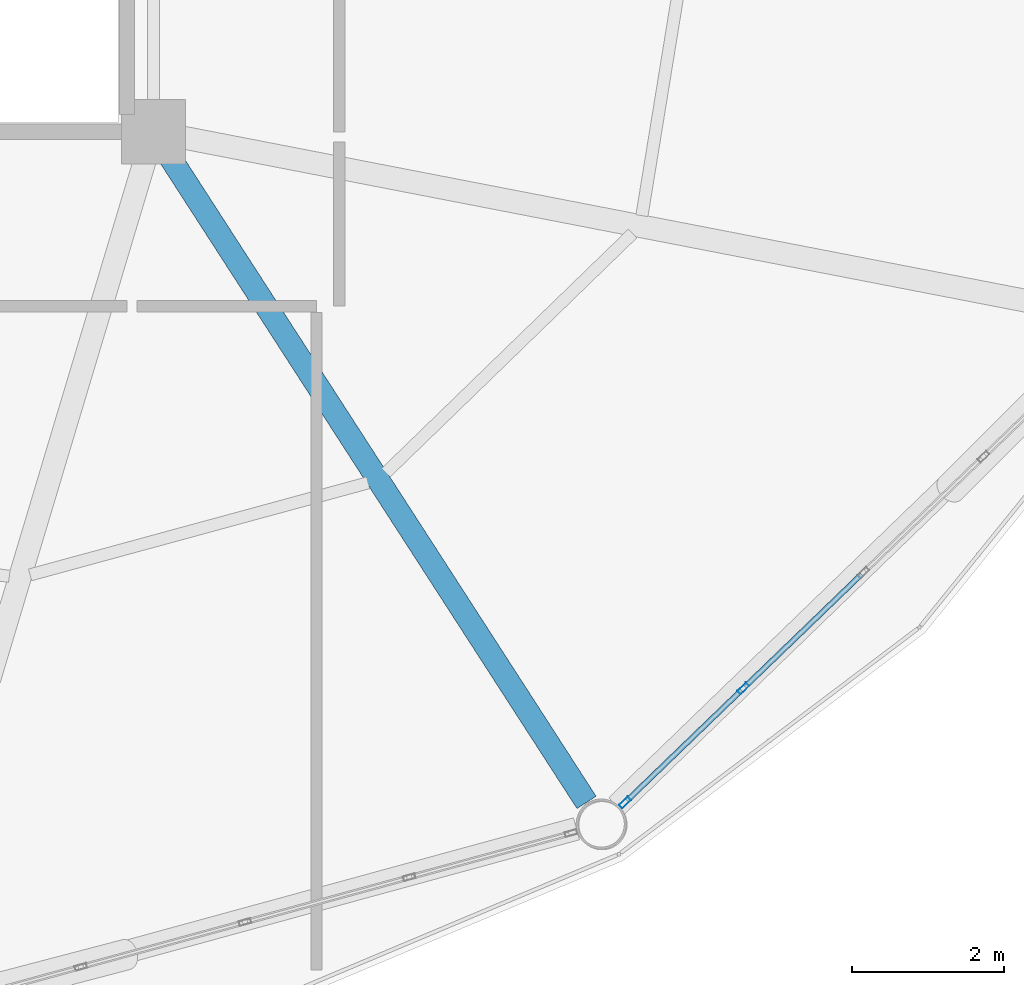
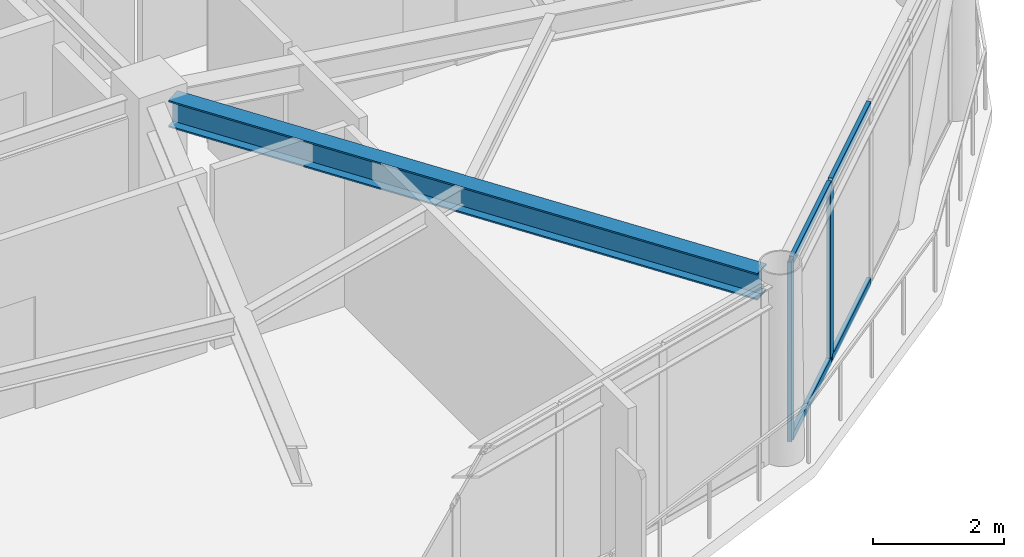
# One storey, part 8 of 26: 6 members, 1 beam, 1 element without a shape of its own.
"""IFC4 building model written with IfcOpenShell, lengths in metres."""

from ifc_helpers import new_model, si_unit, direction, frame, origin, origin_2d, place, context, subcontext, project, spatial, hollow_rectangle, i_section, extrude, material, layer, layer_set, material_profile, profile_set, type_object, element, aggregate, save


model = new_model("IFC4")

# Units and contexts
model_context = context("Model", 3, precision=1e-05, world=origin(), true_north=direction((0.0, 1.0)))
body_context = subcontext(model_context, "Body", "Model", "MODEL_VIEW")
ifc_project = project(units=[si_unit("LENGTHUNIT", "METRE"), si_unit("AREAUNIT", "SQUARE_METRE"), si_unit("VOLUMEUNIT", "CUBIC_METRE"), si_unit("PLANEANGLEUNIT", "RADIAN"), si_unit("MASSUNIT", "GRAM", prefix="KILO")], contexts=[model_context])

# Site, building, storey
site_placement = place(None, origin())
site = spatial("IfcSite", under=ifc_project, at=site_placement, CompositionType="ELEMENT")
building_placement = place(site_placement, origin())
building = spatial("IfcBuilding", under=site, at=building_placement, Name="Varnakorn Sky Granary", CompositionType="ELEMENT")
storey_placement = place(building_placement, frame((0.0, 0.0, 222.0)))
storey = spatial("IfcBuildingStorey", under=building, at=storey_placement, Name="L56", CompositionType="ELEMENT", Elevation=222.0)

# Beam
ifc_material_1 = material(Name="Steel S355JR", Category="steel")
ifc_material_profile_1 = material_profile(ifc_material_1, i_section(OverallWidth=0.300048828125, OverallDepth=0.5, WebThickness=0.014404296875, FlangeThickness=0.028076171875, at=origin_2d()), Name="HE 500 B")
ifc_profile_set_1 = profile_set([ifc_material_profile_1], Name="Steel S355JR")
beam_type = type_object("IfcBeamType", Name="BM-RAD-Z4", PredefinedType="BEAM", material=ifc_profile_set_1)
beam_placement = place(storey_placement, frame((8.569580078125, -6.940185546875, 3.110107421875), z_axis=(0.542494236989, -0.840059523387, 0.0), x_axis=(0.840059523387, 0.542494236989, 0.0)))
element("IfcBeam", 1, at=beam_placement, inside=storey, type_object=beam_type, Name="Radial Floor Girder RG11 L56", PredefinedType="BEAM", context=body_context, shape_type="SweptSolid", body=[
    extrude(i_section(OverallWidth=0.300048828125, OverallDepth=0.5, WebThickness=0.014404296875, FlangeThickness=0.028076171875, at=origin_2d()), origin(), (0.0, 0.0, 1.0), 10.125244140625),
])

# Curtain wall, members
ifc_material_2 = material(Name="Anodised Bronze Aluminium Alloy 6063-T6", Category="aluminium")
ifc_layer = layer(ifc_material_2, 0.169921875, Name="Anodised Bronze Aluminium Alloy 6063-T6")
ifc_layer_set = layer_set([ifc_layer], Name="Anodised Bronze Aluminium Alloy 6063-T6")
curtain_wall_type = type_object("IfcCurtainWallType", Name="CW-LAB-1", PredefinedType="USERDEFINED", material=ifc_layer_set)
curtain_wall_placement = place(storey_placement, origin())
curtain_wall = element("IfcCurtainWall", 2, at=curtain_wall_placement, inside=storey, type_object=curtain_wall_type, Name="Unitised Curtain Wall CW5 CW-L56-B11", ObjectType="CURTAIN WALL", PredefinedType="USERDEFINED")
ifc_material_profile_2 = material_profile(ifc_material_2, hollow_rectangle(XDim=0.06494140625, YDim=0.159912109375, WallThickness=0.00341796875, at=origin_2d()), Name="ALU MULL 65x160")
ifc_profile_set_2 = profile_set([ifc_material_profile_2], Name="Anodised Bronze Aluminium Alloy 6063-T6")
member_type_1 = type_object("IfcMemberType", Name="CW-LAB-1-MULL", PredefinedType="MULLION", material=ifc_profile_set_2)
member_1_placement = place(storey_placement, frame((16.130615234375, -13.94140625, 0.0), z_axis=(0.0, 0.0, 1.0), x_axis=(0.694404067281, -0.719585291222, 0.0)))
member_1 = element("IfcMember", 3, at=member_1_placement, type_object=member_type_1, Name="CW5 mullion 4", PredefinedType="MULLION", context=body_context, shape_type="SweptSolid", body=[
    extrude(hollow_rectangle(XDim=0.06494140625, YDim=0.159912109375, WallThickness=0.00341796875, at=origin_2d()), origin(), (0.0, 0.0, 1.0), 3.360107421875),
])
member_2_placement = place(storey_placement, frame((14.571044921875, -15.446533203125, 0.0), z_axis=(0.0, 0.0, 1.0), x_axis=(0.694404067281, -0.719585291222, 0.0)))
member_2 = element("IfcMember", 4, at=member_2_placement, type_object=member_type_1, Name="CW5 mullion 5", PredefinedType="MULLION", context=body_context, shape_type="SweptSolid", body=[
    extrude(hollow_rectangle(XDim=0.06494140625, YDim=0.159912109375, WallThickness=0.00341796875, at=origin_2d()), origin(), (0.0, 0.0, 1.0), 3.360107421875),
])
ifc_material_profile_3 = material_profile(ifc_material_2, hollow_rectangle(XDim=0.070068359375, YDim=0.139892578125, WallThickness=0.00341796875, at=origin_2d()), Name="ALU TRAN 70x140")
ifc_profile_set_3 = profile_set([ifc_material_profile_3], Name="Anodised Bronze Aluminium Alloy 6063-T6")
member_type_2 = type_object("IfcMemberType", Name="CW-LAB-1-TRAN", PredefinedType="USERDEFINED", material=ifc_profile_set_3)
member_3_placement = place(storey_placement, frame((17.6904296875, -12.436279296875, 0.034912109375), z_axis=(-0.719572850606, -0.694416958801, 0.0), x_axis=(0.694416958801, -0.719572850606, 0.0)))
member_3 = element("IfcMember", 5, at=member_3_placement, type_object=member_type_2, Name="CW5 transom 3.1", ObjectType="TRANSOM", PredefinedType="USERDEFINED", context=body_context, shape_type="SweptSolid", body=[
    extrude(hollow_rectangle(XDim=0.070068359375, YDim=0.139892578125, WallThickness=0.00341796875, at=origin_2d()), origin(), (0.0, 0.0, 1.0), 2.135009765625),
])
member_4_placement = place(storey_placement, frame((17.6904296875, -12.436279296875, 3.324951171875), z_axis=(-0.719572850606, -0.694416958801, 0.0), x_axis=(0.694416958801, -0.719572850606, 0.0)))
member_4 = element("IfcMember", 6, at=member_4_placement, type_object=member_type_2, Name="CW5 transom 3.2", ObjectType="TRANSOM", PredefinedType="USERDEFINED", context=body_context, shape_type="SweptSolid", body=[
    extrude(hollow_rectangle(XDim=0.070068359375, YDim=0.139892578125, WallThickness=0.00341796875, at=origin_2d()), origin(), (0.0, 0.0, 1.0), 2.135009765625),
])
member_5_placement = place(storey_placement, frame((16.107421875, -13.964111328125, 0.034912109375), z_axis=(-0.719593512887, -0.694395547372, 0.0), x_axis=(0.694395547372, -0.719593512887, 0.0)))
member_5 = element("IfcMember", 7, at=member_5_placement, type_object=member_type_2, Name="CW5 transom 4.1", ObjectType="TRANSOM", PredefinedType="USERDEFINED", context=body_context, shape_type="SweptSolid", body=[
    extrude(hollow_rectangle(XDim=0.070068359375, YDim=0.139892578125, WallThickness=0.00341796875, at=origin_2d()), origin(), (0.0, 0.0, 1.0), 2.1025390625),
])
member_6_placement = place(storey_placement, frame((16.107421875, -13.964111328125, 3.324951171875), z_axis=(-0.719593512887, -0.694395547372, 0.0), x_axis=(0.694395547372, -0.719593512887, 0.0)))
member_6 = element("IfcMember", 8, at=member_6_placement, type_object=member_type_2, Name="CW5 transom 4.2", ObjectType="TRANSOM", PredefinedType="USERDEFINED", context=body_context, shape_type="SweptSolid", body=[
    extrude(hollow_rectangle(XDim=0.070068359375, YDim=0.139892578125, WallThickness=0.00341796875, at=origin_2d()), origin(), (0.0, 0.0, 1.0), 2.1025390625),
])
aggregate(curtain_wall, [member_1, member_2, member_3, member_4, member_5, member_6])

save(model, "model.ifc")
